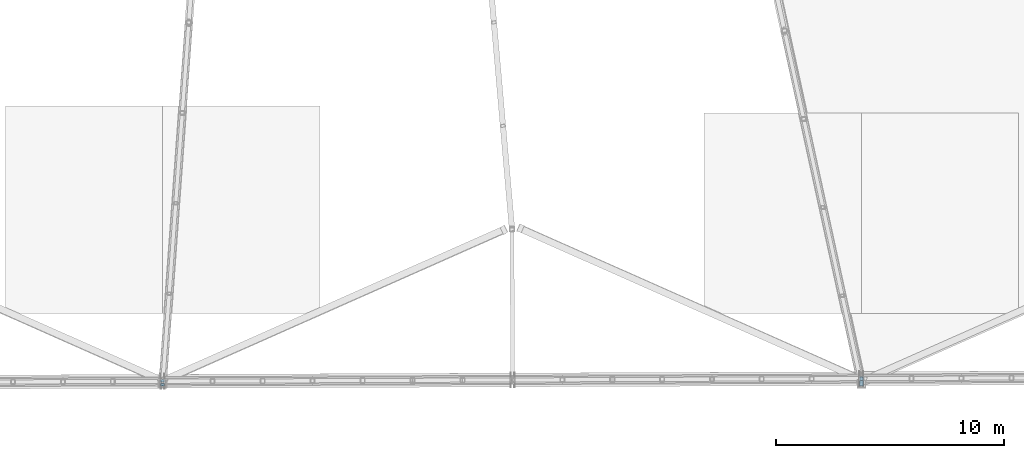
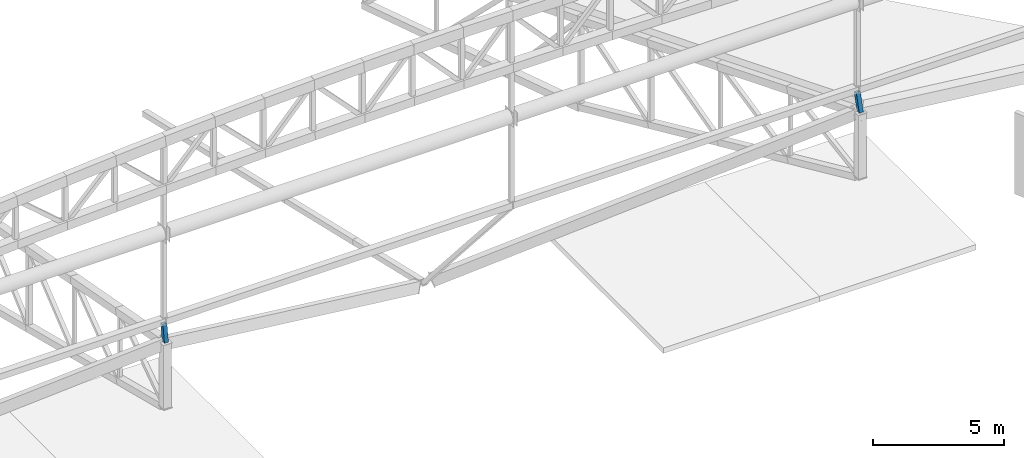
# One storey, part 113 of 188: 2 members.
"""IFC4 building model written with IfcOpenShell, lengths in metres."""

from ifc_helpers import new_model, si_unit, direction, frame, origin, origin_2d, place, context, subcontext, project, spatial, hollow_rectangle, extrude, material, material_profile, profile_set, type_object, element, save


model = new_model("IFC4")

# Units and contexts
model_context = context("Model", 3, precision=1e-05, world=origin(), true_north=direction((0.0, 1.0)))
body_context = subcontext(model_context, "Body", "Model", "MODEL_VIEW")
ifc_project = project(units=[si_unit("LENGTHUNIT", "METRE"), si_unit("AREAUNIT", "SQUARE_METRE"), si_unit("VOLUMEUNIT", "CUBIC_METRE"), si_unit("PLANEANGLEUNIT", "RADIAN"), si_unit("MASSUNIT", "GRAM", prefix="KILO")], contexts=[model_context])

# Site, building, storey
site_placement = place(None, origin())
site = spatial("IfcSite", under=ifc_project, at=site_placement, CompositionType="ELEMENT")
building_placement = place(site_placement, origin())
building = spatial("IfcBuilding", under=site, at=building_placement, Name="Meseta Stadium", CompositionType="ELEMENT")
storey_placement = place(building_placement, frame((0.0, 0.0, 30.0)))
storey = spatial("IfcBuildingStorey", under=building, at=storey_placement, Name="ROOF", CompositionType="ELEMENT", Elevation=30.0)

# Members
ifc_material = material(Name="Steel S355", Category="steel")
ifc_material_profile = material_profile(ifc_material, hollow_rectangle(XDim=0.179931640625, YDim=0.179931640625, WallThickness=0.00634765625, at=origin_2d()), Name="SHS 180x180x6.3")
ifc_profile_set = profile_set([ifc_material_profile], Name="Steel S355")
member_type = type_object("IfcMemberType", Name="SHS 180x180x6.3 hanger", PredefinedType="STRUT", material=ifc_profile_set)
member_1_placement = place(storey_placement, frame((-7.667236328125, -105.281982421875, 11.300048828125), z_axis=(0.000593682281, -0.143374270747, -0.989668361639), x_axis=(0.999991427053, 0.004140751251, 0.0)))
element("IfcMember", 1, at=member_1_placement, inside=storey, type_object=member_type, Name="GABLE ARCH GA-S hanger RT-46", PredefinedType="STRUT", context=body_context, shape_type="SweptSolid", body=[
    extrude(hollow_rectangle(XDim=0.179931640625, YDim=0.179931640625, WallThickness=0.00634765625, at=origin_2d()), origin(), (0.0, 0.0, 1.0), 0.822509765625),
])
member_2_placement = place(storey_placement, frame((22.9990234375, -105.1640625, 11.300048828125), z_axis=(0.00114665083, -0.276916175359, -0.96089339524), x_axis=(0.999991427053, 0.004140751251, 0.0)))
element("IfcMember", 2, at=member_2_placement, inside=storey, type_object=member_type, Name="GABLE ARCH GA-S hanger RT-48", PredefinedType="STRUT", context=body_context, shape_type="SweptSolid", body=[
    extrude(hollow_rectangle(XDim=0.179931640625, YDim=0.179931640625, WallThickness=0.00634765625, at=origin_2d()), origin(), (0.0, 0.0, 1.0), 0.8515625),
])

save(model, "model.ifc")
